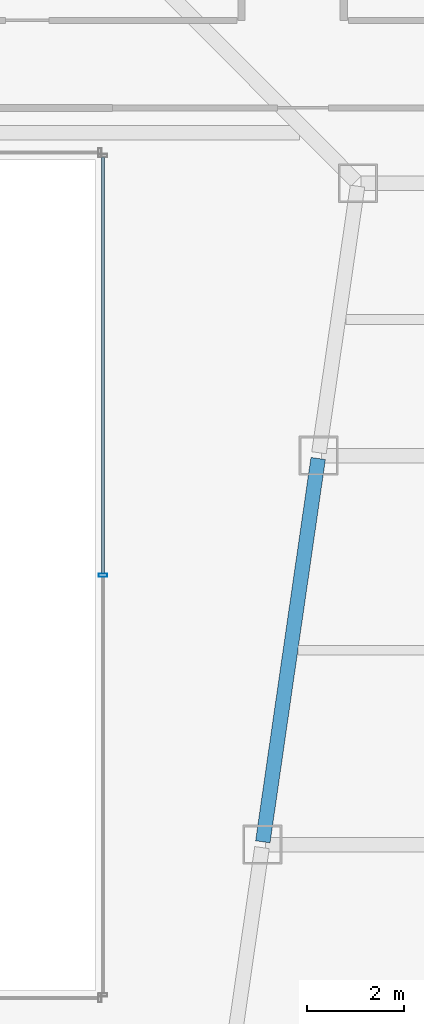
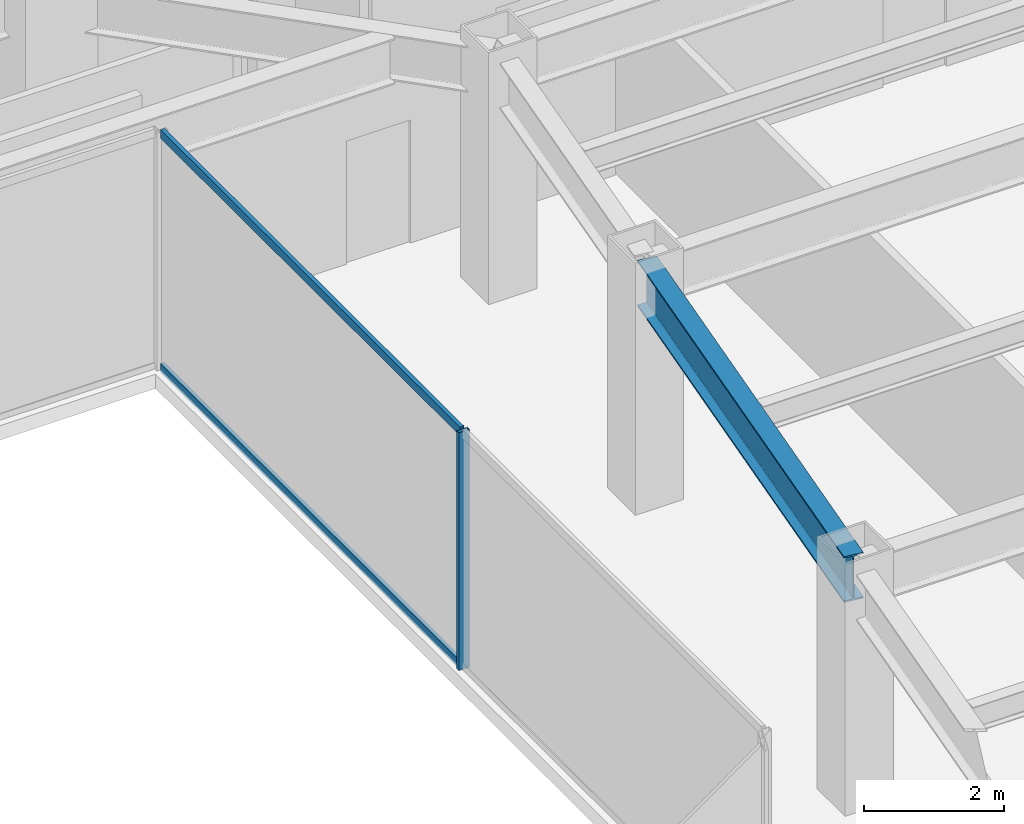
# One storey, part 20 of 47: 3 members, 1 beam, 1 element without a shape of its own.
"""IFC4 building model written with IfcOpenShell, lengths in metres."""

from ifc_helpers import new_model, si_unit, direction, frame, origin, origin_2d, place, context, subcontext, project, spatial, hollow_rectangle, i_section, extrude, material, material_profile, profile_set, type_object, element, aggregate, save


model = new_model("IFC4")

# Units and contexts
model_context = context("Model", 3, precision=1e-05, world=origin(), true_north=direction((0.0, 1.0)))
body_context = subcontext(model_context, "Body", "Model", "MODEL_VIEW")
ifc_project = project(units=[si_unit("LENGTHUNIT", "METRE"), si_unit("AREAUNIT", "SQUARE_METRE"), si_unit("VOLUMEUNIT", "CUBIC_METRE"), si_unit("PLANEANGLEUNIT", "RADIAN"), si_unit("MASSUNIT", "GRAM", prefix="KILO")], contexts=[model_context])

# Site, building, storey
site_placement = place(None, origin())
site = spatial("IfcSite", under=ifc_project, at=site_placement, CompositionType="ELEMENT")
building_placement = place(site_placement, origin())
building = spatial("IfcBuilding", under=site, at=building_placement, Name="Saevonmaru Cultural Tower", CompositionType="ELEMENT")
storey_placement = place(building_placement, frame((0.0, 0.0, 42.800048828125)))
storey = spatial("IfcBuildingStorey", under=building, at=storey_placement, Name="L08", CompositionType="ELEMENT", Elevation=42.800048828125)

# Beam
ifc_material_1 = material(Name="Steel SM420", Category="steel")
ifc_material_profile_1 = material_profile(ifc_material_1, i_section(OverallWidth=0.300048828125, OverallDepth=0.800048828125, WebThickness=0.013916015625, FlangeThickness=0.02587890625, FilletRadius=0.028076171875, at=origin_2d()), Name="H-800x300x14x26")
ifc_profile_set_1 = profile_set([ifc_material_profile_1], Name="Steel SM420")
beam_type = type_object("IfcBeamType", Name="BM-G-H800", PredefinedType="BEAM", material=ifc_profile_set_1)
beam_placement = place(storey_placement, frame((39.236572265625, 24.059326171875, 3.75), z_axis=(0.142902032203, 0.989736838353, 0.0), x_axis=(-0.989736838353, 0.142902032203, 0.0)))
element("IfcBeam", 1, at=beam_placement, inside=storey, type_object=beam_type, Name="L08 East Atrium Girder 4", PredefinedType="BEAM", context=body_context, shape_type="SweptSolid", body=[
    extrude(i_section(OverallWidth=0.300048828125, OverallDepth=0.800048828125, WebThickness=0.013916015625, FlangeThickness=0.02587890625, FilletRadius=0.028076171875, at=origin_2d()), origin(), (0.0, 0.0, 1.0), 7.963134765625),
])

# Curtain wall, members
ifc_material_2 = material(Name="Satin Bronze Anodised Aluminium", Category="aluminium")
curtain_wall_type = type_object("IfcCurtainWallType", Name="CW-ATR-GLZ", PredefinedType="NOTDEFINED", material=ifc_material_2)
curtain_wall_placement = place(storey_placement, origin())
curtain_wall = element("IfcCurtainWall", 2, at=curtain_wall_placement, inside=storey, type_object=curtain_wall_type, Name="L08 Vertical Atrium Glazed Smoke Screen 2", PredefinedType="NOTDEFINED")
ifc_material_profile_2 = material_profile(ifc_material_2, hollow_rectangle(XDim=0.06494140625, YDim=0.179931640625, WallThickness=0.00390625, at=origin_2d()), Name="ALU-MULL-180x65x4")
ifc_profile_set_2 = profile_set([ifc_material_profile_2], Name="Satin Bronze Anodised Aluminium")
member_type_1 = type_object("IfcMemberType", Name="ML-CW-INT-180x65", PredefinedType="MULLION", material=ifc_profile_set_2)
member_1_placement = place(storey_placement, frame((35.949951171875, 29.5400390625, 0.0), z_axis=(0.0, 0.0, 1.0), x_axis=(0.0, 1.0, 0.0)))
member_1 = element("IfcMember", 3, at=member_1_placement, type_object=member_type_1, Name="CW-ATR-L08-2 mullion 2", PredefinedType="MULLION", context=body_context, shape_type="SweptSolid", body=[
    extrude(hollow_rectangle(XDim=0.06494140625, YDim=0.179931640625, WallThickness=0.00390625, at=origin_2d()), origin(), (0.0, 0.0, 1.0), 4.14990234375),
])
ifc_material_profile_3 = material_profile(ifc_material_2, hollow_rectangle(XDim=0.06494140625, YDim=0.14990234375, WallThickness=0.00390625, at=origin_2d()), Name="ALU-TRAN-150x65x4")
ifc_profile_set_3 = profile_set([ifc_material_profile_3], Name="Satin Bronze Anodised Aluminium")
member_type_2 = type_object("IfcMemberType", Name="TR-CW-INT-150x65", PredefinedType="USERDEFINED", material=ifc_profile_set_3)
member_2_placement = place(storey_placement, frame((35.949951171875, 29.572509765625, 0.032470703125), z_axis=(0.0, 1.0, 0.0), x_axis=(-1.0, 0.0, 0.0)))
member_2 = element("IfcMember", 4, at=member_2_placement, type_object=member_type_2, Name="CW-ATR-L08-2 transom 2.1", ObjectType="TRANSOM", PredefinedType="USERDEFINED", context=body_context, shape_type="SweptSolid", body=[
    extrude(hollow_rectangle(XDim=0.06494140625, YDim=0.14990234375, WallThickness=0.00390625, at=origin_2d()), origin(), (0.0, 0.0, 1.0), 8.56494140625),
])
member_3_placement = place(storey_placement, frame((35.949951171875, 29.572509765625, 4.117431640625), z_axis=(0.0, 1.0, 0.0), x_axis=(-1.0, 0.0, 0.0)))
member_3 = element("IfcMember", 5, at=member_3_placement, type_object=member_type_2, Name="CW-ATR-L08-2 transom 2.2", ObjectType="TRANSOM", PredefinedType="USERDEFINED", context=body_context, shape_type="SweptSolid", body=[
    extrude(hollow_rectangle(XDim=0.06494140625, YDim=0.14990234375, WallThickness=0.00390625, at=origin_2d()), origin(), (0.0, 0.0, 1.0), 8.56494140625),
])
aggregate(curtain_wall, [member_1, member_2, member_3])

save(model, "model.ifc")
